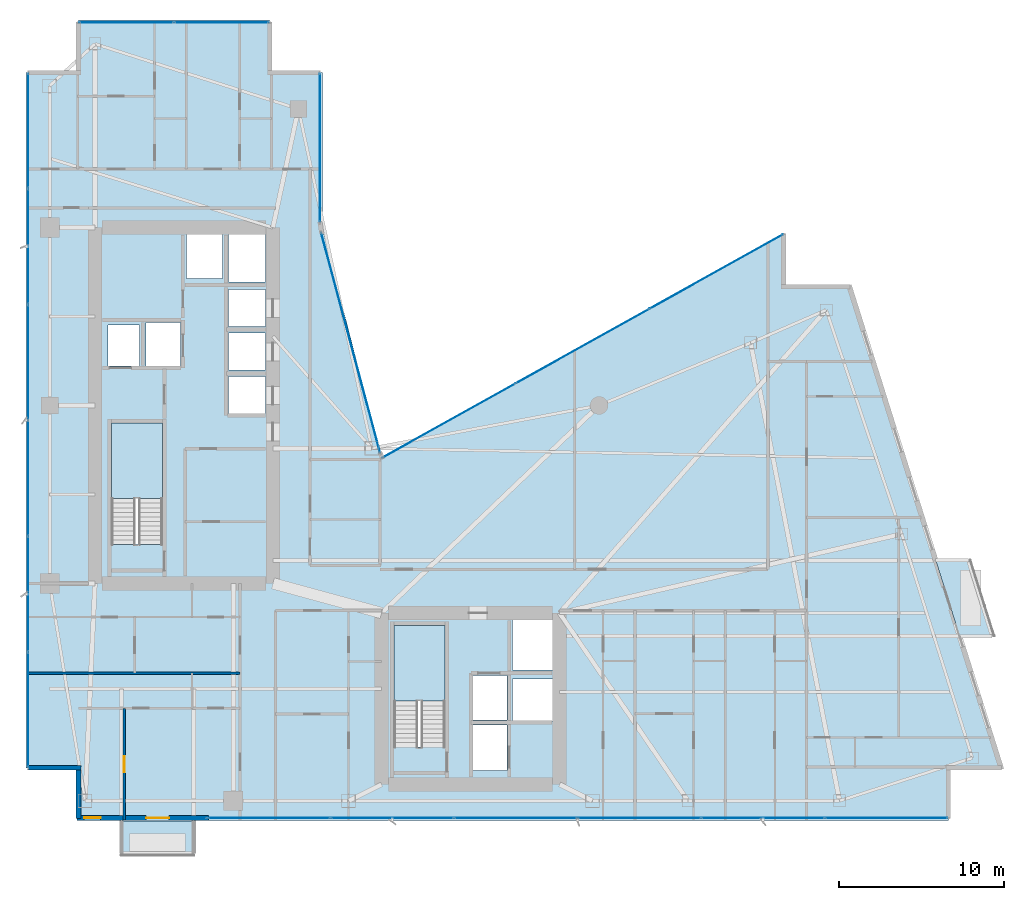
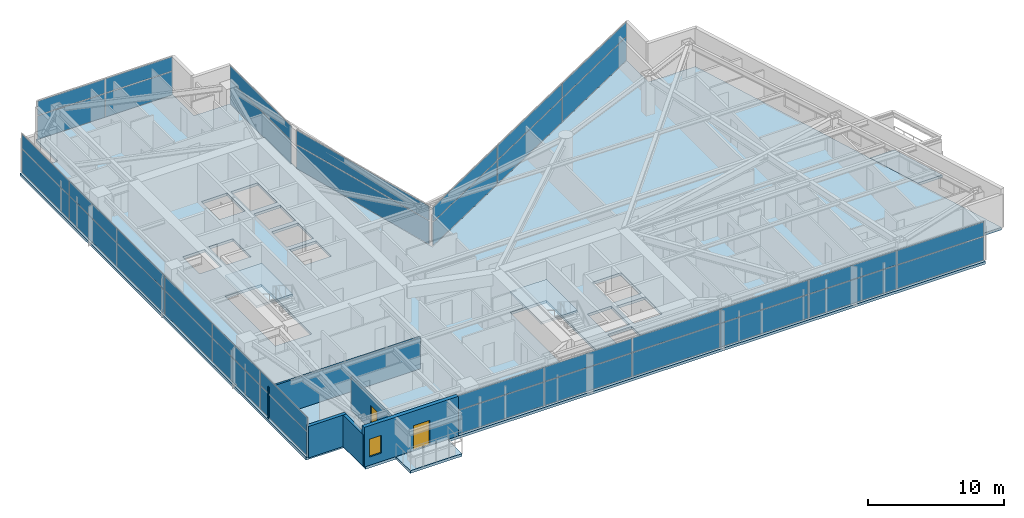
# One storey, part 21 of 29: 38 plates, 5 slabs, 5 walls, 2 doors, 1 window, 3 openings, 8 elements without a shape of their own.
"""IFC4 building model written with IfcOpenShell, lengths in metres."""

import ifcopenshell
import ifcopenshell.guid

model = None  # the IFC model being written
_history = None  # IfcOwnerHistory: only IFC2X3 demands one
_inside = {}  # id of a spatial element -> (the spatial element, [elements in it])
_under = {}  # id of a project, library or spatial element -> (it, [spatial elements below it])
_declared = {}  # id of a project -> (the project, [libraries it declares])
_typed = {}  # id of a type object -> (the type object, [elements of that type])
_made_of = {}  # id of a material, layer set ... -> (it, [elements and type objects made of it])


def new_model(schema):
    """Start an empty IFC model of exactly this schema.

    Asked for "IFC4X3", IfcOpenShell would pick the latest addendum, in which some entities
    have other attributes; the version numbers below select the first issue.
    IFC2X3 requires an IfcOwnerHistory on every rooted entity: one is made here for all.
    """
    global model, _history
    if schema == "IFC4X3":
        model = ifcopenshell.file(schema_version=(4, 3, 0, 0))
    else:
        model = ifcopenshell.file(schema=schema)
    _inside.clear()
    _under.clear()
    _declared.clear()
    _typed.clear()
    _made_of.clear()
    _history = None
    if model.schema == "IFC2X3":
        org = make("IfcOrganization", Name="unknown")
        user = make(
            "IfcPersonAndOrganization",
            ThePerson=make("IfcPerson", FamilyName="unknown"),
            TheOrganization=org,
        )
        app = make(
            "IfcApplication",
            ApplicationDeveloper=org,
            Version="unknown",
            ApplicationFullName="unknown",
            ApplicationIdentifier="unknown",
        )
        _history = make(
            "IfcOwnerHistory",
            OwningUser=user,
            OwningApplication=app,
            ChangeAction="ADDED",
            CreationDate=0,
        )
    return model


def make(cls, **values):
    """One entity of the class cls with the attributes given. An attribute that is None is left unset."""
    return model.create_entity(
        cls, **{name: value for name, value in values.items() if value is not None}
    )


def rooted(cls, **values):
    """An entity with a GlobalId (a new one), such as an element, a storey or a relation."""
    return make(cls, GlobalId=ifcopenshell.guid.new(), OwnerHistory=_history, **values)


def si_unit(unit_type, name, prefix=None):
    """IfcSIUnit, for example si_unit("LENGTHUNIT", "METRE", prefix="MILLI")."""
    return make("IfcSIUnit", UnitType=unit_type, Prefix=prefix, Name=name)


def assignment(units):
    """IfcUnitAssignment: the units of a project."""
    return None if units is None else make("IfcUnitAssignment", Units=units)


def point(xyz):
    """IfcCartesianPoint."""
    return None if xyz is None else make("IfcCartesianPoint", Coordinates=xyz)


def direction(xyz):
    """IfcDirection."""
    return None if xyz is None else make("IfcDirection", DirectionRatios=xyz)


def frame(location, z_axis=None, x_axis=None):
    """IfcAxis2Placement3D, a coordinate frame: its origin and axes. An axis left out is left unset."""
    return make(
        "IfcAxis2Placement3D",
        Location=point(location),
        Axis=direction(z_axis),
        RefDirection=direction(x_axis),
    )


def frame_2d(location, x_axis=None):
    """IfcAxis2Placement2D, a coordinate frame in the plane: its origin and x axis."""
    return make(
        "IfcAxis2Placement2D", Location=point(location), RefDirection=direction(x_axis)
    )


def origin():
    """The frame at (0, 0, 0) with its axes left unset."""
    return frame((0.0, 0.0, 0.0))


def origin_2d():
    """The frame at (0, 0) in the plane with its x axis left unset."""
    return frame_2d((0.0, 0.0))


def place(relative_to, where):
    """IfcLocalPlacement: puts the frame where relative to a parent placement (None: the world)."""
    return make(
        "IfcLocalPlacement", PlacementRelTo=relative_to, RelativePlacement=where
    )


def context(
    kind, dimensions, precision=None, world=None, true_north=None, identifier=None
):
    """IfcGeometricRepresentationContext, for example the 3D "Model" context."""
    return make(
        "IfcGeometricRepresentationContext",
        ContextIdentifier=identifier,
        ContextType=kind,
        CoordinateSpaceDimension=dimensions,
        Precision=precision,
        WorldCoordinateSystem=world,
        TrueNorth=true_north,
    )


def subcontext(parent, identifier, kind, view, scale=None):
    """IfcGeometricRepresentationSubContext, for example "Body" below "Model"."""
    return make(
        "IfcGeometricRepresentationSubContext",
        ContextIdentifier=identifier,
        ContextType=kind,
        ParentContext=parent,
        TargetScale=scale,
        TargetView=view,
    )


def project(units=None, contexts=None):
    """IfcProject with its units and contexts."""
    return rooted(
        "IfcProject",
        Name="project",
        RepresentationContexts=contexts,
        UnitsInContext=assignment(units),
    )


def spatial(cls, under=None, at=None, **own):
    """A site, building, storey or space (cls), placed at a placement, below another one or the project."""
    s = rooted(cls, ObjectPlacement=at, **own)
    if under is not None:
        _under.setdefault(under.id(), (under, []))[1].append(s)
    return s


def polyline(points):
    """IfcPolyline through the points."""
    return make("IfcPolyline", Points=[point(p) for p in points])


def profile(cls, at=None, kind="AREA", **sizes):
    """A parametric profile (cls). Its sizes go by their IFC names, for example OverallWidth=200.0."""
    return make(cls, ProfileType=kind, Position=at, **sizes)


def rectangle(**sizes):
    """IfcRectangleProfileDef."""
    return profile("IfcRectangleProfileDef", **sizes)


def outline(outer, holes=None, kind="AREA"):
    """IfcArbitraryClosedProfileDef: a profile drawn as a closed curve; with holes, ...WithVoids."""
    if holes is None:
        return make("IfcArbitraryClosedProfileDef", ProfileType=kind, OuterCurve=outer)
    return make(
        "IfcArbitraryProfileDefWithVoids",
        ProfileType=kind,
        OuterCurve=outer,
        InnerCurves=holes,
    )


def extrude(swept, where, along, depth):
    """IfcExtrudedAreaSolid: the profile swept, set in the frame where, extruded along a direction by depth."""
    return make(
        "IfcExtrudedAreaSolid",
        SweptArea=swept,
        Position=where,
        ExtrudedDirection=direction(along),
        Depth=depth,
    )


def shape(context_of_items, identifier, shape_type, items):
    """IfcShapeRepresentation: the items that make up one representation, for example the "Body"."""
    return make(
        "IfcShapeRepresentation",
        ContextOfItems=context_of_items,
        RepresentationIdentifier=identifier,
        RepresentationType=shape_type,
        Items=items,
    )


def material(Name=None, Category=None):
    """IfcMaterial."""
    return make("IfcMaterial", Name=Name, Category=Category)


def layer(
    of_material, thickness, ventilated=None, Name=None, Category=None, Priority=None
):
    """IfcMaterialLayer: one layer of a wall or slab, of a material (None: an air gap)."""
    return make(
        "IfcMaterialLayer",
        Material=of_material,
        LayerThickness=thickness,
        IsVentilated=ventilated,
        Name=Name,
        Category=Category,
        Priority=Priority,
    )


def layer_set(layers, Name=None):
    """IfcMaterialLayerSet."""
    return make("IfcMaterialLayerSet", MaterialLayers=layers, LayerSetName=Name)


def made_of(thing, what):
    """Note that an element or type object is made of a material, layer set ...; save() writes the relation."""
    if what is not None:
        _made_of.setdefault(what.id(), (what, []))[1].append(thing)
    return thing


def type_object(cls, material=None, **own):
    """A type object (cls), such as IfcWallType, which elements share."""
    return made_of(rooted(cls, **own), material)


def element(
    cls,
    number,
    at=None,
    inside=None,
    cuts=None,
    type_object=None,
    material=None,
    context=None,
    identifier="Body",
    shape_type=None,
    held_by="IfcProductDefinitionShape",
    body=None,
    shapes=None,
    **own,
):
    """One element of the class cls, such as IfcWall. Its Tag is "e" and its number.

    at: its placement. inside: the storey or other place that contains it. cuts: it is an
    opening in that element (IfcRelVoidsElement). A single representation is given by context,
    identifier, shape_type and body (its items); several are given by shapes. held_by: the class
    of the entity that holds the representations. save() writes the other relations.
    """
    e = rooted(cls, Tag="e%d" % number, ObjectPlacement=at, **own)
    if body is not None:
        shapes = [shape(context, identifier, shape_type, body)]
    if shapes is not None:
        e.Representation = make(held_by, Representations=shapes)
    if inside is not None:
        _inside.setdefault(inside.id(), (inside, []))[1].append(e)
    if cuts is not None:
        rooted(
            "IfcRelVoidsElement", RelatingBuildingElement=cuts, RelatedOpeningElement=e
        )
    if type_object is not None:
        _typed.setdefault(type_object.id(), (type_object, []))[1].append(e)
    return made_of(e, material)


def fill(opening, filler):
    """IfcRelFillsElement: the door or window that sits in an opening."""
    return rooted(
        "IfcRelFillsElement",
        RelatingOpeningElement=opening,
        RelatedBuildingElement=filler,
    )


def aggregate(whole, parts):
    """IfcRelAggregates: a whole, such as a stair, and the parts it consists of."""
    return rooted("IfcRelAggregates", RelatingObject=whole, RelatedObjects=parts)


def save(model, path):
    """Write the relations noted so far, then the file.

    IfcRelAggregates (storeys below a building ...), IfcRelContainedInSpatialStructure (elements
    in a storey), IfcRelDefinesByType, IfcRelAssociatesMaterial and IfcRelDeclares: one each for
    every whole, place, type object, material and project.
    """
    for whole, parts in _under.values():
        aggregate(whole, parts)
    for where, things in _inside.values():
        rooted(
            "IfcRelContainedInSpatialStructure",
            RelatedElements=things,
            RelatingStructure=where,
        )
    for kind, things in _typed.values():
        rooted("IfcRelDefinesByType", RelatedObjects=things, RelatingType=kind)
    for what, things in _made_of.values():
        rooted("IfcRelAssociatesMaterial", RelatedObjects=things, RelatingMaterial=what)
    for by, libraries in _declared.values():
        rooted("IfcRelDeclares", RelatingContext=by, RelatedDefinitions=libraries)
    model.write(path)


model = new_model("IFC4")

# Units and contexts
model_context = context("Model", 3, precision=1e-05, world=origin(), true_north=direction((0.0, 1.0)))
body_context = subcontext(model_context, "Body", "Model", "MODEL_VIEW")
ifc_project = project(units=[si_unit("LENGTHUNIT", "METRE"), si_unit("AREAUNIT", "SQUARE_METRE"), si_unit("VOLUMEUNIT", "CUBIC_METRE"), si_unit("PLANEANGLEUNIT", "RADIAN"), si_unit("MASSUNIT", "GRAM", prefix="KILO")], contexts=[model_context])

# Site, building, storey
site_placement = place(None, origin())
site = spatial("IfcSite", under=ifc_project, at=site_placement, CompositionType="ELEMENT")
building_placement = place(site_placement, origin())
building = spatial("IfcBuilding", under=site, at=building_placement, Name="Calvorn Quay Hotel", CompositionType="ELEMENT")
storey_placement = place(building_placement, frame((0.0, 0.0, 105.0)))
storey = spatial("IfcBuildingStorey", under=building, at=storey_placement, Name="L25", CompositionType="ELEMENT", Elevation=105.0)

# Curtain wall, plates
ifc_material_1 = material(Name="Pale Anodised Aluminium and Low-E Glass", Category="aluminium")
ifc_layer_1 = layer(ifc_material_1, 0.219970703125)
ifc_layer_set_1 = layer_set([ifc_layer_1], Name="CW-SYS-Z2")
curtain_wall_type = type_object("IfcCurtainWallType", Name="CW-SYS-Z2", PredefinedType="NOTDEFINED", material=ifc_layer_set_1)
curtain_wall_1_placement = place(storey_placement, origin())
curtain_wall_1 = element("IfcCurtainWall", 1, at=curtain_wall_1_placement, inside=storey, type_object=curtain_wall_type, Name="Tower West Curtain Wall (L25)", PredefinedType="NOTDEFINED")
ifc_material_2 = material(Name="Low-E Laminated Double Glazing", Category="glass")
ifc_layer_2 = layer(ifc_material_2, 0.028076171875)
ifc_layer_set_2 = layer_set([ifc_layer_2], Name="CW-SYS-Z2-PAN")
plate_type = type_object("IfcPlateType", Name="CW-SYS-Z2-PAN", PredefinedType="CURTAIN_PANEL", material=ifc_layer_set_2)
plate_1_placement = place(storey_placement, frame((0.14990234375, 9.131591796875, 0.06005859375), z_axis=(0.0, 0.0, 1.0), x_axis=(0.0, 1.0, 0.0)))
plate_1 = element("IfcPlate", 2, at=plate_1_placement, type_object=plate_type, Name="CW-L25-W panel 1.1", PredefinedType="CURTAIN_PANEL", context=body_context, shape_type="SweptSolid", body=[
    extrude(rectangle(XDim=6.943359375, YDim=0.028076171875, at=origin_2d()), origin(), (0.0, 0.0, 1.0), 2.110107421875),
])
plate_2_placement = place(storey_placement, frame((0.14990234375, 9.131591796875, 2.22998046875), z_axis=(0.0, 0.0, 1.0), x_axis=(0.0, 1.0, 0.0)))
plate_2 = element("IfcPlate", 3, at=plate_2_placement, type_object=plate_type, Name="CW-L25-W panel 1.2", PredefinedType="CURTAIN_PANEL", context=body_context, shape_type="SweptSolid", body=[
    extrude(rectangle(XDim=6.943359375, YDim=0.028076171875, at=origin_2d()), origin(), (0.0, 0.0, 1.0), 1.27001953125),
])
plate_3_placement = place(storey_placement, frame((0.14990234375, 16.14990234375, 0.06005859375), z_axis=(0.0, 0.0, 1.0), x_axis=(0.0, 1.0, 0.0)))
plate_3 = element("IfcPlate", 4, at=plate_3_placement, type_object=plate_type, Name="CW-L25-W panel 2.1", PredefinedType="CURTAIN_PANEL", context=body_context, shape_type="SweptSolid", body=[
    extrude(rectangle(XDim=6.973388671875, YDim=0.028076171875, at=origin_2d()), origin(), (0.0, 0.0, 1.0), 2.110107421875),
])
plate_4_placement = place(storey_placement, frame((0.14990234375, 16.14990234375, 2.22998046875), z_axis=(0.0, 0.0, 1.0), x_axis=(0.0, 1.0, 0.0)))
plate_4 = element("IfcPlate", 5, at=plate_4_placement, type_object=plate_type, Name="CW-L25-W panel 2.2", PredefinedType="CURTAIN_PANEL", context=body_context, shape_type="SweptSolid", body=[
    extrude(rectangle(XDim=6.973388671875, YDim=0.028076171875, at=origin_2d()), origin(), (0.0, 0.0, 1.0), 1.27001953125),
])
plate_5_placement = place(storey_placement, frame((0.14990234375, 23.183349609375, 0.06005859375), z_axis=(0.0, 0.0, 1.0), x_axis=(0.0, 1.0, 0.0)))
plate_5 = element("IfcPlate", 6, at=plate_5_placement, type_object=plate_type, Name="CW-L25-W panel 3.1", PredefinedType="CURTAIN_PANEL", context=body_context, shape_type="SweptSolid", body=[
    extrude(rectangle(XDim=6.973388671875, YDim=0.028076171875, at=origin_2d()), origin(), (0.0, 0.0, 1.0), 2.110107421875),
])
plate_6_placement = place(storey_placement, frame((0.14990234375, 23.183349609375, 2.22998046875), z_axis=(0.0, 0.0, 1.0), x_axis=(0.0, 1.0, 0.0)))
plate_6 = element("IfcPlate", 7, at=plate_6_placement, type_object=plate_type, Name="CW-L25-W panel 3.2", PredefinedType="CURTAIN_PANEL", context=body_context, shape_type="SweptSolid", body=[
    extrude(rectangle(XDim=6.973388671875, YDim=0.028076171875, at=origin_2d()), origin(), (0.0, 0.0, 1.0), 1.27001953125),
])
plate_7_placement = place(storey_placement, frame((0.14990234375, 30.216552734375, 0.06005859375), z_axis=(0.0, 0.0, 1.0), x_axis=(0.0, 1.0, 0.0)))
plate_7 = element("IfcPlate", 8, at=plate_7_placement, type_object=plate_type, Name="CW-L25-W panel 4.1", PredefinedType="CURTAIN_PANEL", context=body_context, shape_type="SweptSolid", body=[
    extrude(rectangle(XDim=6.973388671875, YDim=0.028076171875, at=origin_2d()), origin(), (0.0, 0.0, 1.0), 2.110107421875),
])
plate_8_placement = place(storey_placement, frame((0.14990234375, 30.216552734375, 2.22998046875), z_axis=(0.0, 0.0, 1.0), x_axis=(0.0, 1.0, 0.0)))
plate_8 = element("IfcPlate", 9, at=plate_8_placement, type_object=plate_type, Name="CW-L25-W panel 4.2", PredefinedType="CURTAIN_PANEL", context=body_context, shape_type="SweptSolid", body=[
    extrude(rectangle(XDim=6.973388671875, YDim=0.028076171875, at=origin_2d()), origin(), (0.0, 0.0, 1.0), 1.27001953125),
])
plate_9_placement = place(storey_placement, frame((0.14990234375, 37.25, 0.06005859375), z_axis=(0.0, 0.0, 1.0), x_axis=(0.0, 1.0, 0.0)))
plate_9 = element("IfcPlate", 10, at=plate_9_placement, type_object=plate_type, Name="CW-L25-W panel 5.1", PredefinedType="CURTAIN_PANEL", context=body_context, shape_type="SweptSolid", body=[
    extrude(rectangle(XDim=6.973388671875, YDim=0.028076171875, at=origin_2d()), origin(), (0.0, 0.0, 1.0), 2.110107421875),
])
plate_10_placement = place(storey_placement, frame((0.14990234375, 37.25, 2.22998046875), z_axis=(0.0, 0.0, 1.0), x_axis=(0.0, 1.0, 0.0)))
plate_10 = element("IfcPlate", 11, at=plate_10_placement, type_object=plate_type, Name="CW-L25-W panel 5.2", PredefinedType="CURTAIN_PANEL", context=body_context, shape_type="SweptSolid", body=[
    extrude(rectangle(XDim=6.973388671875, YDim=0.028076171875, at=origin_2d()), origin(), (0.0, 0.0, 1.0), 1.27001953125),
])
plate_11_placement = place(storey_placement, frame((0.14990234375, 44.268310546875, 0.06005859375), z_axis=(0.0, 0.0, 1.0), x_axis=(0.0, 1.0, 0.0)))
plate_11 = element("IfcPlate", 12, at=plate_11_placement, type_object=plate_type, Name="CW-L25-W panel 6.1", PredefinedType="CURTAIN_PANEL", context=body_context, shape_type="SweptSolid", body=[
    extrude(rectangle(XDim=6.943359375, YDim=0.028076171875, at=origin_2d()), origin(), (0.0, 0.0, 1.0), 2.110107421875),
])
plate_12_placement = place(storey_placement, frame((0.14990234375, 44.268310546875, 2.22998046875), z_axis=(0.0, 0.0, 1.0), x_axis=(0.0, 1.0, 0.0)))
plate_12 = element("IfcPlate", 13, at=plate_12_placement, type_object=plate_type, Name="CW-L25-W panel 6.2", PredefinedType="CURTAIN_PANEL", context=body_context, shape_type="SweptSolid", body=[
    extrude(rectangle(XDim=6.943359375, YDim=0.028076171875, at=origin_2d()), origin(), (0.0, 0.0, 1.0), 1.27001953125),
])
aggregate(curtain_wall_1, [plate_1, plate_2, plate_3, plate_4, plate_5, plate_6, plate_7, plate_8, plate_9, plate_10, plate_11, plate_12])

curtain_wall_2_placement = place(storey_placement, origin())
curtain_wall_2 = element("IfcCurtainWall", 14, at=curtain_wall_2_placement, inside=storey, type_object=curtain_wall_type, Name="Tower South Waterfront Curtain Wall (L25)", PredefinedType="NOTDEFINED")
plate_13_placement = place(storey_placement, frame((14.764892578125, 2.550048828125, 0.06005859375), z_axis=(0.0, 0.0, 1.0), x_axis=(1.0, 0.0, 0.0)))
plate_13 = element("IfcPlate", 15, at=plate_13_placement, type_object=plate_type, Name="CW-L25-S panel 1.1", PredefinedType="CURTAIN_PANEL", context=body_context, shape_type="SweptSolid", body=[
    extrude(rectangle(XDim=7.409912109375, YDim=0.028076171875, at=origin_2d()), origin(), (0.0, 0.0, 1.0), 2.110107421875),
])
plate_14_placement = place(storey_placement, frame((14.764892578125, 2.550048828125, 2.22998046875), z_axis=(0.0, 0.0, 1.0), x_axis=(1.0, 0.0, 0.0)))
plate_14 = element("IfcPlate", 16, at=plate_14_placement, type_object=plate_type, Name="CW-L25-S panel 1.2", PredefinedType="CURTAIN_PANEL", context=body_context, shape_type="SweptSolid", body=[
    extrude(rectangle(XDim=7.409912109375, YDim=0.028076171875, at=origin_2d()), origin(), (0.0, 0.0, 1.0), 1.27001953125),
])
plate_15_placement = place(storey_placement, frame((22.25, 2.550048828125, 0.06005859375), z_axis=(0.0, 0.0, 1.0), x_axis=(1.0, 0.0, 0.0)))
plate_15 = element("IfcPlate", 17, at=plate_15_placement, type_object=plate_type, Name="CW-L25-S panel 2.1", PredefinedType="CURTAIN_PANEL", context=body_context, shape_type="SweptSolid", body=[
    extrude(rectangle(XDim=7.43994140625, YDim=0.028076171875, at=origin_2d()), origin(), (0.0, 0.0, 1.0), 2.110107421875),
])
plate_16_placement = place(storey_placement, frame((22.25, 2.550048828125, 2.22998046875), z_axis=(0.0, 0.0, 1.0), x_axis=(1.0, 0.0, 0.0)))
plate_16 = element("IfcPlate", 18, at=plate_16_placement, type_object=plate_type, Name="CW-L25-S panel 2.2", PredefinedType="CURTAIN_PANEL", context=body_context, shape_type="SweptSolid", body=[
    extrude(rectangle(XDim=7.43994140625, YDim=0.028076171875, at=origin_2d()), origin(), (0.0, 0.0, 1.0), 1.27001953125),
])
plate_17_placement = place(storey_placement, frame((29.75, 2.550048828125, 0.06005859375), z_axis=(0.0, 0.0, 1.0), x_axis=(1.0, 0.0, 0.0)))
plate_17 = element("IfcPlate", 19, at=plate_17_placement, type_object=plate_type, Name="CW-L25-S panel 3.1", PredefinedType="CURTAIN_PANEL", context=body_context, shape_type="SweptSolid", body=[
    extrude(rectangle(XDim=7.43994140625, YDim=0.028076171875, at=origin_2d()), origin(), (0.0, 0.0, 1.0), 2.110107421875),
])
plate_18_placement = place(storey_placement, frame((29.75, 2.550048828125, 2.22998046875), z_axis=(0.0, 0.0, 1.0), x_axis=(1.0, 0.0, 0.0)))
plate_18 = element("IfcPlate", 20, at=plate_18_placement, type_object=plate_type, Name="CW-L25-S panel 3.2", PredefinedType="CURTAIN_PANEL", context=body_context, shape_type="SweptSolid", body=[
    extrude(rectangle(XDim=7.43994140625, YDim=0.028076171875, at=origin_2d()), origin(), (0.0, 0.0, 1.0), 1.27001953125),
])
plate_19_placement = place(storey_placement, frame((37.25, 2.550048828125, 0.06005859375), z_axis=(0.0, 0.0, 1.0), x_axis=(1.0, 0.0, 0.0)))
plate_19 = element("IfcPlate", 21, at=plate_19_placement, type_object=plate_type, Name="CW-L25-S panel 4.1", PredefinedType="CURTAIN_PANEL", context=body_context, shape_type="SweptSolid", body=[
    extrude(rectangle(XDim=7.43994140625, YDim=0.028076171875, at=origin_2d()), origin(), (0.0, 0.0, 1.0), 2.110107421875),
])
plate_20_placement = place(storey_placement, frame((37.25, 2.550048828125, 2.22998046875), z_axis=(0.0, 0.0, 1.0), x_axis=(1.0, 0.0, 0.0)))
plate_20 = element("IfcPlate", 22, at=plate_20_placement, type_object=plate_type, Name="CW-L25-S panel 4.2", PredefinedType="CURTAIN_PANEL", context=body_context, shape_type="SweptSolid", body=[
    extrude(rectangle(XDim=7.43994140625, YDim=0.028076171875, at=origin_2d()), origin(), (0.0, 0.0, 1.0), 1.27001953125),
])
plate_21_placement = place(storey_placement, frame((44.75, 2.550048828125, 0.06005859375), z_axis=(0.0, 0.0, 1.0), x_axis=(1.0, 0.0, 0.0)))
plate_21 = element("IfcPlate", 23, at=plate_21_placement, type_object=plate_type, Name="CW-L25-S panel 5.1", PredefinedType="CURTAIN_PANEL", context=body_context, shape_type="SweptSolid", body=[
    extrude(rectangle(XDim=7.43994140625, YDim=0.028076171875, at=origin_2d()), origin(), (0.0, 0.0, 1.0), 2.110107421875),
])
plate_22_placement = place(storey_placement, frame((44.75, 2.550048828125, 2.22998046875), z_axis=(0.0, 0.0, 1.0), x_axis=(1.0, 0.0, 0.0)))
plate_22 = element("IfcPlate", 24, at=plate_22_placement, type_object=plate_type, Name="CW-L25-S panel 5.2", PredefinedType="CURTAIN_PANEL", context=body_context, shape_type="SweptSolid", body=[
    extrude(rectangle(XDim=7.43994140625, YDim=0.028076171875, at=origin_2d()), origin(), (0.0, 0.0, 1.0), 1.27001953125),
])
plate_23_placement = place(storey_placement, frame((52.235107421875, 2.550048828125, 0.06005859375), z_axis=(0.0, 0.0, 1.0), x_axis=(1.0, 0.0, 0.0)))
plate_23 = element("IfcPlate", 25, at=plate_23_placement, type_object=plate_type, Name="CW-L25-S panel 6.1", PredefinedType="CURTAIN_PANEL", context=body_context, shape_type="SweptSolid", body=[
    extrude(rectangle(XDim=7.409912109375, YDim=0.028076171875, at=origin_2d()), origin(), (0.0, 0.0, 1.0), 2.110107421875),
])
plate_24_placement = place(storey_placement, frame((52.235107421875, 2.550048828125, 2.22998046875), z_axis=(0.0, 0.0, 1.0), x_axis=(1.0, 0.0, 0.0)))
plate_24 = element("IfcPlate", 26, at=plate_24_placement, type_object=plate_type, Name="CW-L25-S panel 6.2", PredefinedType="CURTAIN_PANEL", context=body_context, shape_type="SweptSolid", body=[
    extrude(rectangle(XDim=7.409912109375, YDim=0.028076171875, at=origin_2d()), origin(), (0.0, 0.0, 1.0), 1.27001953125),
])
aggregate(curtain_wall_2, [plate_13, plate_14, plate_15, plate_16, plate_17, plate_18, plate_19, plate_20, plate_21, plate_22, plate_23, plate_24])

curtain_wall_3_placement = place(storey_placement, origin())
curtain_wall_3 = element("IfcCurtainWall", 27, at=curtain_wall_3_placement, inside=storey, type_object=curtain_wall_type, Name="Inner Court Curtain Wall L25-NE1", PredefinedType="NOTDEFINED")
plate_25_placement = place(storey_placement, frame((41.920166015625, 35.72607421875, 0.06005859375), z_axis=(0.0, 0.0, 1.0), x_axis=(-0.873480989116, -0.486858256224, 0.0)))
plate_25 = element("IfcPlate", 28, at=plate_25_placement, type_object=plate_type, Name="CW-L25-NE1 panel 1.1", PredefinedType="CURTAIN_PANEL", context=body_context, shape_type="SweptSolid", body=[
    extrude(rectangle(XDim=9.221435546875, YDim=0.028076171875, at=origin_2d()), origin(), (0.0, 0.0, 1.0), 2.110107421875),
])
plate_26_placement = place(storey_placement, frame((41.920166015625, 35.72607421875, 2.22998046875), z_axis=(0.0, 0.0, 1.0), x_axis=(-0.873480989116, -0.486858256224, 0.0)))
plate_26 = element("IfcPlate", 29, at=plate_26_placement, type_object=plate_type, Name="CW-L25-NE1 panel 1.2", PredefinedType="CURTAIN_PANEL", context=body_context, shape_type="SweptSolid", body=[
    extrude(rectangle(XDim=9.221435546875, YDim=0.028076171875, at=origin_2d()), origin(), (0.0, 0.0, 1.0), 1.27001953125),
])
plate_27_placement = place(storey_placement, frame((33.800048828125, 31.199951171875, 0.06005859375), z_axis=(0.0, 0.0, 1.0), x_axis=(-0.873480989116, -0.486858256224, 0.0)))
plate_27 = element("IfcPlate", 30, at=plate_27_placement, type_object=plate_type, Name="CW-L25-NE1 panel 2.1", PredefinedType="CURTAIN_PANEL", context=body_context, shape_type="SweptSolid", body=[
    extrude(rectangle(XDim=9.25146484375, YDim=0.028076171875, at=origin_2d()), origin(), (0.0, 0.0, 1.0), 2.110107421875),
])
plate_28_placement = place(storey_placement, frame((33.800048828125, 31.199951171875, 2.22998046875), z_axis=(0.0, 0.0, 1.0), x_axis=(-0.873480989116, -0.486858256224, 0.0)))
plate_28 = element("IfcPlate", 31, at=plate_28_placement, type_object=plate_type, Name="CW-L25-NE1 panel 2.2", PredefinedType="CURTAIN_PANEL", context=body_context, shape_type="SweptSolid", body=[
    extrude(rectangle(XDim=9.25146484375, YDim=0.028076171875, at=origin_2d()), origin(), (0.0, 0.0, 1.0), 1.27001953125),
])
plate_29_placement = place(storey_placement, frame((25.6796875, 26.674072265625, 0.06005859375), z_axis=(0.0, 0.0, 1.0), x_axis=(-0.873480989116, -0.486858256224, 0.0)))
plate_29 = element("IfcPlate", 32, at=plate_29_placement, type_object=plate_type, Name="CW-L25-NE1 panel 3.1", PredefinedType="CURTAIN_PANEL", context=body_context, shape_type="SweptSolid", body=[
    extrude(rectangle(XDim=9.221435546875, YDim=0.028076171875, at=origin_2d()), origin(), (0.0, 0.0, 1.0), 2.110107421875),
])
plate_30_placement = place(storey_placement, frame((25.6796875, 26.674072265625, 2.22998046875), z_axis=(0.0, 0.0, 1.0), x_axis=(-0.873480989116, -0.486858256224, 0.0)))
plate_30 = element("IfcPlate", 33, at=plate_30_placement, type_object=plate_type, Name="CW-L25-NE1 panel 3.2", PredefinedType="CURTAIN_PANEL", context=body_context, shape_type="SweptSolid", body=[
    extrude(rectangle(XDim=9.221435546875, YDim=0.028076171875, at=origin_2d()), origin(), (0.0, 0.0, 1.0), 1.27001953125),
])
aggregate(curtain_wall_3, [plate_25, plate_26, plate_27, plate_28, plate_29, plate_30])

curtain_wall_4_placement = place(storey_placement, origin())
curtain_wall_4 = element("IfcCurtainWall", 34, at=curtain_wall_4_placement, inside=storey, type_object=curtain_wall_type, Name="Inner Court Curtain Wall L25-IC1", PredefinedType="NOTDEFINED")
plate_31_placement = place(storey_placement, frame((19.72509765625, 31.39990234375, 0.06005859375), z_axis=(0.0, 0.0, 1.0), x_axis=(-0.25877913024, 0.96593652056, 0.0)))
plate_31 = element("IfcPlate", 35, at=plate_31_placement, type_object=plate_type, Name="CW-L25-IC1 panel 1.1", PredefinedType="CURTAIN_PANEL", context=body_context, shape_type="SweptSolid", body=[
    extrude(rectangle(XDim=13.814697265625, YDim=0.028076171875, at=origin_2d()), origin(), (0.0, 0.0, 1.0), 2.110107421875),
])
plate_32_placement = place(storey_placement, frame((19.72509765625, 31.39990234375, 2.22998046875), z_axis=(0.0, 0.0, 1.0), x_axis=(-0.25877913024, 0.96593652056, 0.0)))
plate_32 = element("IfcPlate", 36, at=plate_32_placement, type_object=plate_type, Name="CW-L25-IC1 panel 1.2", PredefinedType="CURTAIN_PANEL", context=body_context, shape_type="SweptSolid", body=[
    extrude(rectangle(XDim=13.814697265625, YDim=0.028076171875, at=origin_2d()), origin(), (0.0, 0.0, 1.0), 1.27001953125),
])
aggregate(curtain_wall_4, [plate_31, plate_32])

curtain_wall_5_placement = place(storey_placement, origin())
curtain_wall_5 = element("IfcCurtainWall", 37, at=curtain_wall_5_placement, inside=storey, type_object=curtain_wall_type, Name="Inner Court Curtain Wall L25-IC2", PredefinedType="NOTDEFINED")
plate_33_placement = place(storey_placement, frame((17.85009765625, 43.239990234375, 0.06005859375), z_axis=(0.0, 0.0, 1.0), x_axis=(0.0, 1.0, 0.0)))
plate_33 = element("IfcPlate", 38, at=plate_33_placement, type_object=plate_type, Name="CW-L25-IC2 panel 1.1", PredefinedType="CURTAIN_PANEL", context=body_context, shape_type="SweptSolid", body=[
    extrude(rectangle(XDim=9.0, YDim=0.028076171875, at=origin_2d()), origin(), (0.0, 0.0, 1.0), 2.110107421875),
])
plate_34_placement = place(storey_placement, frame((17.85009765625, 43.239990234375, 2.22998046875), z_axis=(0.0, 0.0, 1.0), x_axis=(0.0, 1.0, 0.0)))
plate_34 = element("IfcPlate", 39, at=plate_34_placement, type_object=plate_type, Name="CW-L25-IC2 panel 1.2", PredefinedType="CURTAIN_PANEL", context=body_context, shape_type="SweptSolid", body=[
    extrude(rectangle(XDim=9.0, YDim=0.028076171875, at=origin_2d()), origin(), (0.0, 0.0, 1.0), 1.27001953125),
])
aggregate(curtain_wall_5, [plate_33, plate_34])

curtain_wall_6_placement = place(storey_placement, origin())
curtain_wall_6 = element("IfcCurtainWall", 40, at=curtain_wall_6_placement, inside=storey, type_object=curtain_wall_type, Name="Inner Court Curtain Wall L25-N1", PredefinedType="NOTDEFINED")
plate_35_placement = place(storey_placement, frame((11.885009765625, 50.85009765625, 0.06005859375), z_axis=(0.0, 0.0, 1.0), x_axis=(-1.0, 0.0, 0.0)))
plate_35 = element("IfcPlate", 41, at=plate_35_placement, type_object=plate_type, Name="CW-L25-N1 panel 1.1", PredefinedType="CURTAIN_PANEL", context=body_context, shape_type="SweptSolid", body=[
    extrude(rectangle(XDim=5.7099609375, YDim=0.028076171875, at=origin_2d()), origin(), (0.0, 0.0, 1.0), 2.110107421875),
])
plate_36_placement = place(storey_placement, frame((11.885009765625, 50.85009765625, 2.22998046875), z_axis=(0.0, 0.0, 1.0), x_axis=(-1.0, 0.0, 0.0)))
plate_36 = element("IfcPlate", 42, at=plate_36_placement, type_object=plate_type, Name="CW-L25-N1 panel 1.2", PredefinedType="CURTAIN_PANEL", context=body_context, shape_type="SweptSolid", body=[
    extrude(rectangle(XDim=5.7099609375, YDim=0.028076171875, at=origin_2d()), origin(), (0.0, 0.0, 1.0), 1.27001953125),
])
plate_37_placement = place(storey_placement, frame((6.114990234375, 50.85009765625, 0.06005859375), z_axis=(0.0, 0.0, 1.0), x_axis=(-1.0, 0.0, 0.0)))
plate_37 = element("IfcPlate", 43, at=plate_37_placement, type_object=plate_type, Name="CW-L25-N1 panel 2.1", PredefinedType="CURTAIN_PANEL", context=body_context, shape_type="SweptSolid", body=[
    extrude(rectangle(XDim=5.7099609375, YDim=0.028076171875, at=origin_2d()), origin(), (0.0, 0.0, 1.0), 2.110107421875),
])
plate_38_placement = place(storey_placement, frame((6.114990234375, 50.85009765625, 2.22998046875), z_axis=(0.0, 0.0, 1.0), x_axis=(-1.0, 0.0, 0.0)))
plate_38 = element("IfcPlate", 44, at=plate_38_placement, type_object=plate_type, Name="CW-L25-N1 panel 2.2", PredefinedType="CURTAIN_PANEL", context=body_context, shape_type="SweptSolid", body=[
    extrude(rectangle(XDim=5.7099609375, YDim=0.028076171875, at=origin_2d()), origin(), (0.0, 0.0, 1.0), 1.27001953125),
])
aggregate(curtain_wall_6, [plate_35, plate_36, plate_37, plate_38])

# Slabs
ifc_material_3 = material(Name="Concrete C40", Category="concrete")
ifc_layer_3 = layer(ifc_material_3, 0.239990234375)
ifc_layer_set_3 = layer_set([ifc_layer_3], Name="SLB-BALCONY-220")
slab_type_1 = type_object("IfcSlabType", Name="SLB-BALCONY-220", PredefinedType="FLOOR", material=ifc_layer_set_3)
slab_1_placement = place(storey_placement, frame((0.0, 0.0, -0.239990234375)))
element("IfcSlab", 45, at=slab_1_placement, inside=storey, type_object=slab_type_1, Name="Tree Balcony Slab L25-BALC-E", PredefinedType="FLOOR", context=body_context, shape_type="SweptSolid", body=[
    extrude(outline(polyline([(56.68896484375, 13.60009765625), (58.7890625, 13.60009765625), (57.340087890625, 18.199951171875), (55.239990234375, 18.199951171875), (56.68896484375, 13.60009765625)])), origin(), (0.0, 0.0, 1.0), 0.239990234375),
])
slab_2_placement = place(storey_placement, frame((0.0, 0.0, -0.239990234375)))
element("IfcSlab", 46, at=slab_2_placement, inside=storey, type_object=slab_type_1, Name="Tree Balcony Slab L25-BALC-S", PredefinedType="FLOOR", context=body_context, shape_type="SweptSolid", body=[
    extrude(outline(polyline([(5.800048828125, 0.2900390625), (10.199951171875, 0.2900390625), (10.199951171875, 2.389892578125), (5.800048828125, 2.389892578125), (5.800048828125, 0.2900390625)])), origin(), (0.0, 0.0, 1.0), 0.239990234375),
])

# Stair, slab
ifc_material_4 = material(Name="Concrete C40", Category="concrete")
stair_type = type_object("IfcStairType", Name="STR-CORE-DOGLEG", PredefinedType="HALF_TURN_STAIR", material=ifc_material_4)
stair_1_placement = place(storey_placement, origin())
stair_1 = element("IfcStair", 47, at=stair_1_placement, inside=storey, type_object=stair_type, Name="L25 ST-W", PredefinedType="HALF_TURN_STAIR")
ifc_material_5 = material(Name="Concrete C40", Category="concrete")
ifc_layer_4 = layer(ifc_material_5, 0.199951171875)
ifc_layer_set_4 = layer_set([ifc_layer_4], Name="SLB-STAIR-LANDING-200")
slab_type_2 = type_object("IfcSlabType", Name="SLB-STAIR-LANDING-200", PredefinedType="LANDING", material=ifc_layer_set_4)
slab_3_placement = place(storey_placement, frame((0.0, 0.0, 1.699951171875)))
slab_3 = element("IfcSlab", 48, at=slab_3_placement, type_object=slab_type_2, Name="ST-W landing 1", PredefinedType="LANDING", context=body_context, shape_type="SweptSolid", body=[
    extrude(outline(polyline([(8.300048828125, 21.949951171875), (8.300048828125, 26.550048828125), (5.199951171875, 26.550048828125), (5.199951171875, 21.949951171875), (8.300048828125, 21.949951171875)])), origin(), (0.0, 0.0, 1.0), 0.199951171875),
])
aggregate(stair_1, [slab_3])

stair_2_placement = place(storey_placement, origin())
stair_2 = element("IfcStair", 49, at=stair_2_placement, inside=storey, type_object=stair_type, Name="L25 ST-E", PredefinedType="HALF_TURN_STAIR")
slab_4_placement = place(storey_placement, frame((0.0, 0.0, 1.699951171875)))
slab_4 = element("IfcSlab", 50, at=slab_4_placement, type_object=slab_type_2, Name="ST-E landing 1", PredefinedType="LANDING", context=body_context, shape_type="SweptSolid", body=[
    extrude(outline(polyline([(25.449951171875, 9.64990234375), (25.449951171875, 14.25), (22.35009765625, 14.25), (22.35009765625, 9.64990234375), (25.449951171875, 9.64990234375)])), origin(), (0.0, 0.0, 1.0), 0.199951171875),
])
aggregate(stair_2, [slab_4])

# Slab
ifc_material_6 = material(Name="Concrete C40", Category="concrete")
ifc_layer_5 = layer(ifc_material_6, 0.239990234375)
ifc_layer_set_5 = layer_set([ifc_layer_5], Name="SLB-TOWER-240")
slab_type_3 = type_object("IfcSlabType", Name="SLB-TOWER-240", PredefinedType="FLOOR", material=ifc_layer_set_5)
slab_5_placement = place(storey_placement, frame((0.0, 0.0, -0.239990234375)))
element("IfcSlab", 51, at=slab_5_placement, inside=storey, type_object=slab_type_3, Name="L25 Structural Floor Slab", PredefinedType="FLOOR", context=body_context, shape_type="SweptSolid", body=[
    extrude(outline(polyline([(0.0, 5.60009765625), (3.199951171875, 5.60009765625), (3.199951171875, 2.39990234375), (56.0, 2.39990234375), (56.0, 5.60009765625), (59.199951171875, 5.60009765625), (50.0, 34.800048828125), (46.0, 34.800048828125), (46.0, 38.0), (21.60009765625, 24.39990234375), (18.0, 38.39990234375), (18.0, 47.800048828125), (14.800048828125, 47.800048828125), (14.800048828125, 51.0), (3.199951171875, 51.0), (3.199951171875, 47.800048828125), (0.0, 47.800048828125), (0.0, 5.60009765625)]), holes=[polyline([(5.199951171875, 19.156005859375), (8.300048828125, 19.156005859375), (8.300048828125, 26.550048828125), (5.199951171875, 26.550048828125), (5.199951171875, 19.156005859375)]), polyline([(22.35009765625, 6.85595703125), (25.449951171875, 6.85595703125), (25.449951171875, 14.25), (22.35009765625, 14.25), (22.35009765625, 6.85595703125)]), polyline([(5.0, 30.0), (6.89990234375, 30.0), (6.89990234375, 32.5), (5.0, 32.5), (5.0, 30.0)]), polyline([(7.300048828125, 30.0), (9.39990234375, 30.0), (9.39990234375, 32.64990234375), (7.300048828125, 32.64990234375), (7.300048828125, 30.0)]), polyline([(27.159912109375, 8.5), (29.2099609375, 8.5), (29.2099609375, 11.199951171875), (27.159912109375, 11.199951171875), (27.159912109375, 8.5)]), polyline([(27.159912109375, 5.449951171875), (29.2099609375, 5.449951171875), (29.2099609375, 8.199951171875), (27.159912109375, 8.199951171875), (27.159912109375, 5.449951171875)]), polyline([(12.300048828125, 27.10009765625), (14.56494140625, 27.10009765625), (14.56494140625, 29.35009765625), (12.300048828125, 29.35009765625), (12.300048828125, 27.10009765625)]), polyline([(12.300048828125, 29.75), (14.56494140625, 29.75), (14.56494140625, 32.0), (12.300048828125, 32.0), (12.300048828125, 29.75)]), polyline([(12.300048828125, 32.39990234375), (14.56494140625, 32.39990234375), (14.56494140625, 34.64990234375), (12.300048828125, 34.64990234375), (12.300048828125, 32.39990234375)]), polyline([(12.300048828125, 35.10009765625), (14.56494140625, 35.10009765625), (14.56494140625, 37.965087890625), (12.300048828125, 37.965087890625), (12.300048828125, 35.10009765625)]), polyline([(9.75, 35.300048828125), (11.949951171875, 35.300048828125), (11.949951171875, 37.965087890625), (9.75, 37.965087890625), (9.75, 35.300048828125)]), polyline([(29.550048828125, 11.550048828125), (31.965087890625, 11.550048828125), (31.965087890625, 14.56494140625), (29.550048828125, 14.56494140625), (29.550048828125, 11.550048828125)]), polyline([(29.550048828125, 8.449951171875), (31.965087890625, 8.449951171875), (31.965087890625, 11.0), (29.550048828125, 11.0), (29.550048828125, 8.449951171875)])]), origin(), (0.0, 0.0, 1.0), 0.239990234375),
])

# Wall, openings, door, window
ifc_material_7 = material(Name="Concrete C40", Category="concrete")
ifc_layer_6 = layer(ifc_material_7, 0.320068359375)
ifc_layer_set_6 = layer_set([ifc_layer_6], Name="WL-EXT-SPANDREL-320")
wall_type_1 = type_object("IfcWallType", Name="WL-EXT-SPANDREL-320", PredefinedType="SOLIDWALL", material=ifc_layer_set_6)
wall_1_placement = place(storey_placement, frame((3.10009765625, 2.56005859375, 0.0), z_axis=(0.0, 0.0, 1.0), x_axis=(1.0, 0.0, 0.0)))
wall_1 = element("IfcWall", 52, at=wall_1_placement, inside=storey, type_object=wall_type_1, Name="South Balcony Exterior Wall (L25)", PredefinedType="SOLIDWALL", context=body_context, shape_type="SweptSolid", body=[
    extrude(rectangle(XDim=8.0, YDim=0.320068359375, at=frame_2d((4.0, 0.0))), origin(), (0.0, 0.0, 1.0), 3.56005859375),
])
opening_1_placement = place(wall_1_placement, frame((0.449951171875, 0.0, 0.75)))
opening_1 = element("IfcOpeningElement", 53, at=opening_1_placement, cuts=wall_1, Name="Opening WSB-L25-1", PredefinedType="OPENING", context=body_context, shape_type="SweptSolid", body=[
    extrude(rectangle(XDim=1.0, YDim=1.60009765625, at=frame_2d((0.5, 0.800048828125))), frame((0.0, 0.169921875, 0.0), z_axis=(0.0, -1.0, 0.0), x_axis=(1.0, 0.0, 0.0)), (0.0, 0.0, 1.0), 0.340087890625),
])
opening_2_placement = place(wall_1_placement, frame((4.199951171875, 0.0, 0.0)))
opening_2 = element("IfcOpeningElement", 54, at=opening_2_placement, cuts=wall_1, Name="Opening DB-L25-2", PredefinedType="OPENING", context=body_context, shape_type="SweptSolid", body=[
    extrude(rectangle(XDim=1.39990234375, YDim=2.25, at=frame_2d((0.699951171875, 1.125))), frame((0.0, 0.169921875, 0.0), z_axis=(0.0, -1.0, 0.0), x_axis=(1.0, 0.0, 0.0)), (0.0, 0.0, 1.0), 0.340087890625),
])
ifc_material_8 = material(Name="Typhoon-Rated Low-E Aluminium Terrace Door", Category="aluminium")
door_type_1 = type_object("IfcDoorType", Name="DR-BALCONY-GLZ-1400", OperationType="NOTDEFINED", PredefinedType="DOOR", material=ifc_material_8)
door_1_placement = place(opening_2_placement, origin())
door_1 = element("IfcDoor", 55, at=door_1_placement, inside=storey, type_object=door_type_1, Name="Tree Balcony Terrace Door L25-BALC-S", OperationType="SINGLE_SWING_LEFT", OverallHeight=2.25, OverallWidth=1.39990234375, PredefinedType="DOOR", context=body_context, shape_type="SweptSolid", body=[
    extrude(rectangle(XDim=1.39990234375, YDim=2.25, at=frame_2d((0.699951171875, 1.125))), frame((0.0, 0.02490234375, 0.0), z_axis=(0.0, -1.0, 0.0), x_axis=(1.0, 0.0, 0.0)), (0.0, 0.0, 1.0), 0.050048828125),
])
fill(opening_2, door_1)
ifc_material_9 = material(Name="Self-Closing Class B Side Fire Window")
window_type = type_object("IfcWindowType", Name="WIN-REFUGE-NARROW-1000x1600", PartitioningType="SINGLE_PANEL", PredefinedType="WINDOW", material=ifc_material_9)
window_placement = place(opening_1_placement, origin())
window = element("IfcWindow", 56, at=window_placement, inside=storey, type_object=window_type, Name="South Waterfront Side Window (L25)", OverallHeight=1.60009765625, OverallWidth=1.0, PartitioningType="SINGLE_PANEL", PredefinedType="WINDOW", context=body_context, shape_type="SweptSolid", body=[
    extrude(rectangle(XDim=1.0, YDim=1.60009765625, at=frame_2d((0.5, 0.800048828125))), frame((0.0, 0.030029296875, 0.0), z_axis=(0.0, -1.0, 0.0), x_axis=(1.0, 0.0, 0.0)), (0.0, 0.0, 1.0), 0.06005859375),
])
fill(opening_1, window)

# Walls
wall_2_placement = place(storey_placement, frame((0.1201171875, 5.60009765625, 0.0), z_axis=(0.0, 0.0, 1.0), x_axis=(1.0, 0.0, 0.0)))
element("IfcWall", 57, at=wall_2_placement, inside=storey, type_object=wall_type_1, Name="Notched Corner Spandrel L25-SW1", PredefinedType="SOLIDWALL", context=body_context, shape_type="SweptSolid", body=[
    extrude(rectangle(XDim=3.219970703125, YDim=0.280029296875, at=frame_2d((1.60986328125, 0.0))), origin(), (0.0, 0.0, 1.0), 2.840087890625),
])
wall_3_placement = place(storey_placement, frame((3.199951171875, 5.4599609375, 0.0), z_axis=(0.0, 0.0, 1.0), x_axis=(0.0, -1.0, 0.0)))
element("IfcWall", 58, at=wall_3_placement, inside=storey, type_object=wall_type_1, Name="Notched Corner Spandrel L25-SW2", PredefinedType="SOLIDWALL", context=body_context, shape_type="SweptSolid", body=[
    extrude(rectangle(XDim=2.93994140625, YDim=0.280029296875, at=frame_2d((1.469970703125, 0.0))), origin(), (0.0, 0.0, 1.0), 2.840087890625),
])

# Wall, opening, door
ifc_material_10 = material(Name="Double-Stud Acoustic Gypsum Partition")
ifc_layer_7 = layer(ifc_material_10, 0.159912109375)
ifc_layer_set_7 = layer_set([ifc_layer_7], Name="WL-INTERSUITE-160")
wall_type_2 = type_object("IfcWallType", Name="WL-INTERSUITE-160", PredefinedType="PARTITIONING", material=ifc_layer_set_7)
wall_4_placement = place(storey_placement, frame((5.97998046875, 2.43994140625, 0.0), z_axis=(0.0, 0.0, 1.0), x_axis=(0.0, 1.0, 0.0)))
wall_4 = element("IfcWall", 59, at=wall_4_placement, inside=storey, type_object=wall_type_2, Name="Partition Wall L25-WL-U01-MSP", PredefinedType="PARTITIONING", context=body_context, shape_type="SweptSolid", body=[
    extrude(rectangle(XDim=6.780029296875, YDim=0.159912109375, at=frame_2d((3.39013671875, 0.0))), origin(), (0.0, 0.0, 1.0), 3.0400390625),
])
opening_3_placement = place(wall_4_placement, frame((2.909912109375, 0.0, 0.0)))
opening_3 = element("IfcOpeningElement", 60, at=opening_3_placement, cuts=wall_4, Name="Opening D-L25-M01", PredefinedType="OPENING", context=body_context, shape_type="SweptSolid", body=[
    extrude(rectangle(XDim=0.9599609375, YDim=2.199951171875, at=frame_2d((0.47998046875, 1.10009765625))), frame((0.0, 0.08984375, 0.0), z_axis=(0.0, -1.0, 0.0), x_axis=(1.0, 0.0, 0.0)), (0.0, 0.0, 1.0), 0.179931640625),
])
ifc_material_11 = material(Name="Solid Timber Internal Suite Door", Category="wood")
door_type_2 = type_object("IfcDoorType", Name="DR-SUITE-INT-960", OperationType="NOTDEFINED", PredefinedType="DOOR", material=ifc_material_11)
door_2_placement = place(opening_3_placement, origin())
door_2 = element("IfcDoor", 61, at=door_2_placement, inside=storey, type_object=door_type_2, Name="Suite Bedroom Door 01", OperationType="SINGLE_SWING_LEFT", OverallHeight=2.199951171875, OverallWidth=0.9599609375, PredefinedType="DOOR", context=body_context, shape_type="SweptSolid", body=[
    extrude(rectangle(XDim=0.9599609375, YDim=2.199951171875, at=frame_2d((0.47998046875, 1.10009765625))), frame((0.0, 0.02490234375, 0.0), z_axis=(0.0, -1.0, 0.0), x_axis=(1.0, 0.0, 0.0)), (0.0, 0.0, 1.0), 0.050048828125),
])
fill(opening_3, door_2)

# Wall
wall_5_placement = place(storey_placement, frame((0.080078125, 11.35009765625, 0.0), z_axis=(0.0, 0.0, 1.0), x_axis=(1.0, 0.0, 0.0)))
element("IfcWall", 62, at=wall_5_placement, inside=storey, type_object=wall_type_2, Name="Partition Wall L25-WL-SW-DIV-1", PredefinedType="PARTITIONING", context=body_context, shape_type="SweptSolid", body=[
    extrude(rectangle(XDim=12.919921875, YDim=0.159912109375, at=frame_2d((6.4599609375, 0.0))), origin(), (0.0, 0.0, 1.0), 2.840087890625),
])

save(model, "model.ifc")
